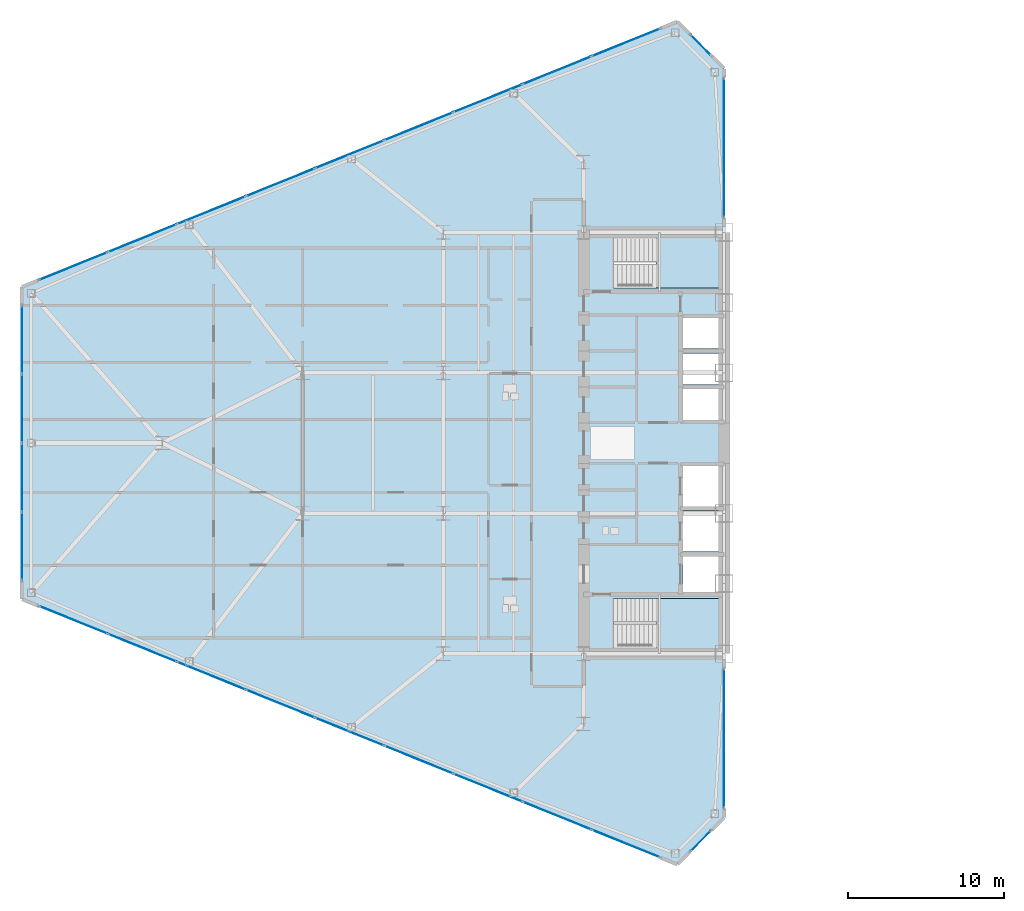
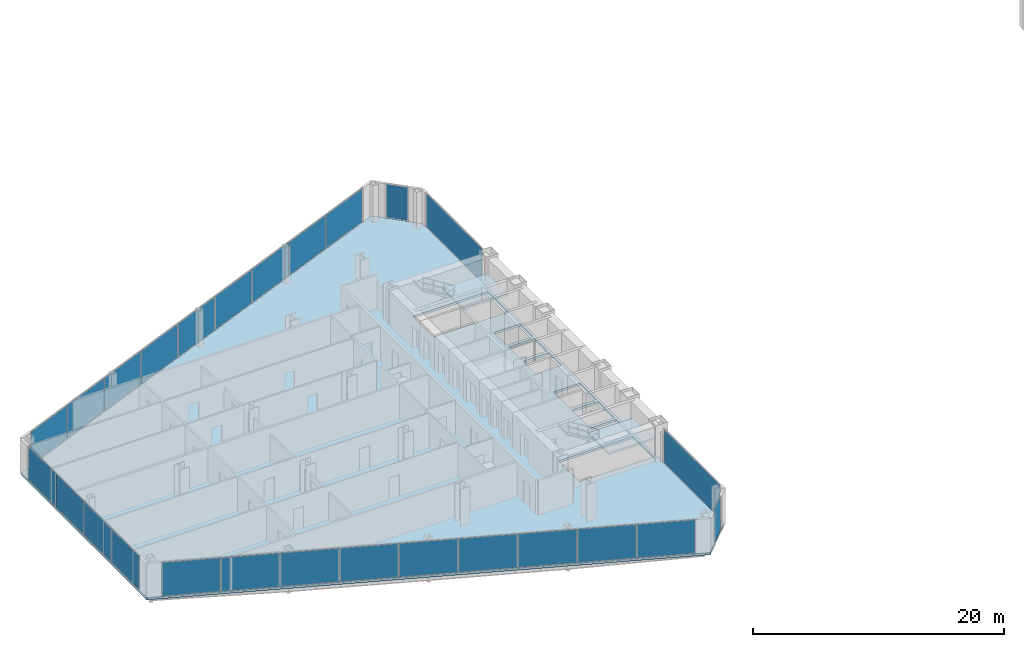
# One storey, part 15 of 25: 26 plates, 3 slabs, 9 elements without a shape of their own.
"""IFC4 building model written with IfcOpenShell, lengths in metres."""

import ifcopenshell
import ifcopenshell.guid

model = None  # the IFC model being written
_history = None  # IfcOwnerHistory: only IFC2X3 demands one
_inside = {}  # id of a spatial element -> (the spatial element, [elements in it])
_under = {}  # id of a project, library or spatial element -> (it, [spatial elements below it])
_declared = {}  # id of a project -> (the project, [libraries it declares])
_typed = {}  # id of a type object -> (the type object, [elements of that type])
_made_of = {}  # id of a material, layer set ... -> (it, [elements and type objects made of it])


def new_model(schema):
    """Start an empty IFC model of exactly this schema.

    Asked for "IFC4X3", IfcOpenShell would pick the latest addendum, in which some entities
    have other attributes; the version numbers below select the first issue.
    IFC2X3 requires an IfcOwnerHistory on every rooted entity: one is made here for all.
    """
    global model, _history
    if schema == "IFC4X3":
        model = ifcopenshell.file(schema_version=(4, 3, 0, 0))
    else:
        model = ifcopenshell.file(schema=schema)
    _inside.clear()
    _under.clear()
    _declared.clear()
    _typed.clear()
    _made_of.clear()
    _history = None
    if model.schema == "IFC2X3":
        org = make("IfcOrganization", Name="unknown")
        user = make(
            "IfcPersonAndOrganization",
            ThePerson=make("IfcPerson", FamilyName="unknown"),
            TheOrganization=org,
        )
        app = make(
            "IfcApplication",
            ApplicationDeveloper=org,
            Version="unknown",
            ApplicationFullName="unknown",
            ApplicationIdentifier="unknown",
        )
        _history = make(
            "IfcOwnerHistory",
            OwningUser=user,
            OwningApplication=app,
            ChangeAction="ADDED",
            CreationDate=0,
        )
    return model


def make(cls, **values):
    """One entity of the class cls with the attributes given. An attribute that is None is left unset."""
    return model.create_entity(
        cls, **{name: value for name, value in values.items() if value is not None}
    )


def rooted(cls, **values):
    """An entity with a GlobalId (a new one), such as an element, a storey or a relation."""
    return make(cls, GlobalId=ifcopenshell.guid.new(), OwnerHistory=_history, **values)


def si_unit(unit_type, name, prefix=None):
    """IfcSIUnit, for example si_unit("LENGTHUNIT", "METRE", prefix="MILLI")."""
    return make("IfcSIUnit", UnitType=unit_type, Prefix=prefix, Name=name)


def assignment(units):
    """IfcUnitAssignment: the units of a project."""
    return None if units is None else make("IfcUnitAssignment", Units=units)


def point(xyz):
    """IfcCartesianPoint."""
    return None if xyz is None else make("IfcCartesianPoint", Coordinates=xyz)


def direction(xyz):
    """IfcDirection."""
    return None if xyz is None else make("IfcDirection", DirectionRatios=xyz)


def frame(location, z_axis=None, x_axis=None):
    """IfcAxis2Placement3D, a coordinate frame: its origin and axes. An axis left out is left unset."""
    return make(
        "IfcAxis2Placement3D",
        Location=point(location),
        Axis=direction(z_axis),
        RefDirection=direction(x_axis),
    )


def frame_2d(location, x_axis=None):
    """IfcAxis2Placement2D, a coordinate frame in the plane: its origin and x axis."""
    return make(
        "IfcAxis2Placement2D", Location=point(location), RefDirection=direction(x_axis)
    )


def origin():
    """The frame at (0, 0, 0) with its axes left unset."""
    return frame((0.0, 0.0, 0.0))


def origin_2d():
    """The frame at (0, 0) in the plane with its x axis left unset."""
    return frame_2d((0.0, 0.0))


def place(relative_to, where):
    """IfcLocalPlacement: puts the frame where relative to a parent placement (None: the world)."""
    return make(
        "IfcLocalPlacement", PlacementRelTo=relative_to, RelativePlacement=where
    )


def context(
    kind, dimensions, precision=None, world=None, true_north=None, identifier=None
):
    """IfcGeometricRepresentationContext, for example the 3D "Model" context."""
    return make(
        "IfcGeometricRepresentationContext",
        ContextIdentifier=identifier,
        ContextType=kind,
        CoordinateSpaceDimension=dimensions,
        Precision=precision,
        WorldCoordinateSystem=world,
        TrueNorth=true_north,
    )


def subcontext(parent, identifier, kind, view, scale=None):
    """IfcGeometricRepresentationSubContext, for example "Body" below "Model"."""
    return make(
        "IfcGeometricRepresentationSubContext",
        ContextIdentifier=identifier,
        ContextType=kind,
        ParentContext=parent,
        TargetScale=scale,
        TargetView=view,
    )


def project(units=None, contexts=None):
    """IfcProject with its units and contexts."""
    return rooted(
        "IfcProject",
        Name="project",
        RepresentationContexts=contexts,
        UnitsInContext=assignment(units),
    )


def spatial(cls, under=None, at=None, **own):
    """A site, building, storey or space (cls), placed at a placement, below another one or the project."""
    s = rooted(cls, ObjectPlacement=at, **own)
    if under is not None:
        _under.setdefault(under.id(), (under, []))[1].append(s)
    return s


def polyline(points):
    """IfcPolyline through the points."""
    return make("IfcPolyline", Points=[point(p) for p in points])


def profile(cls, at=None, kind="AREA", **sizes):
    """A parametric profile (cls). Its sizes go by their IFC names, for example OverallWidth=200.0."""
    return make(cls, ProfileType=kind, Position=at, **sizes)


def rectangle(**sizes):
    """IfcRectangleProfileDef."""
    return profile("IfcRectangleProfileDef", **sizes)


def outline(outer, holes=None, kind="AREA"):
    """IfcArbitraryClosedProfileDef: a profile drawn as a closed curve; with holes, ...WithVoids."""
    if holes is None:
        return make("IfcArbitraryClosedProfileDef", ProfileType=kind, OuterCurve=outer)
    return make(
        "IfcArbitraryProfileDefWithVoids",
        ProfileType=kind,
        OuterCurve=outer,
        InnerCurves=holes,
    )


def extrude(swept, where, along, depth):
    """IfcExtrudedAreaSolid: the profile swept, set in the frame where, extruded along a direction by depth."""
    return make(
        "IfcExtrudedAreaSolid",
        SweptArea=swept,
        Position=where,
        ExtrudedDirection=direction(along),
        Depth=depth,
    )


def shape(context_of_items, identifier, shape_type, items):
    """IfcShapeRepresentation: the items that make up one representation, for example the "Body"."""
    return make(
        "IfcShapeRepresentation",
        ContextOfItems=context_of_items,
        RepresentationIdentifier=identifier,
        RepresentationType=shape_type,
        Items=items,
    )


def source(mapping_origin, context_of_items, identifier, shape_type, items):
    """IfcRepresentationMap: a shape defined once, which mapped items show again and again."""
    return make(
        "IfcRepresentationMap",
        MappingOrigin=mapping_origin,
        MappedRepresentation=shape(context_of_items, identifier, shape_type, items),
    )


def transform(
    local_origin,
    x_axis=None,
    y_axis=None,
    z_axis=None,
    scale=None,
    scale2=None,
    scale3=None,
    uniform=True,
):
    """IfcCartesianTransformationOperator3D, or its non-uniform kind. x_axis, y_axis, z_axis: its Axis1, 2, 3."""
    if uniform:
        return make(
            "IfcCartesianTransformationOperator3D",
            Axis1=direction(x_axis),
            Axis2=direction(y_axis),
            LocalOrigin=point(local_origin),
            Scale=scale,
            Axis3=direction(z_axis),
        )
    return make(
        "IfcCartesianTransformationOperator3DnonUniform",
        Axis1=direction(x_axis),
        Axis2=direction(y_axis),
        LocalOrigin=point(local_origin),
        Scale=scale,
        Axis3=direction(z_axis),
        Scale2=scale2,
        Scale3=scale3,
    )


def mapped(mapping_source, mapping_target):
    """IfcMappedItem: shows the shape of a source again, moved by a transform."""
    return make(
        "IfcMappedItem", MappingSource=mapping_source, MappingTarget=mapping_target
    )


def material(Name=None, Category=None):
    """IfcMaterial."""
    return make("IfcMaterial", Name=Name, Category=Category)


def layer(
    of_material, thickness, ventilated=None, Name=None, Category=None, Priority=None
):
    """IfcMaterialLayer: one layer of a wall or slab, of a material (None: an air gap)."""
    return make(
        "IfcMaterialLayer",
        Material=of_material,
        LayerThickness=thickness,
        IsVentilated=ventilated,
        Name=Name,
        Category=Category,
        Priority=Priority,
    )


def layer_set(layers, Name=None):
    """IfcMaterialLayerSet."""
    return make("IfcMaterialLayerSet", MaterialLayers=layers, LayerSetName=Name)


def made_of(thing, what):
    """Note that an element or type object is made of a material, layer set ...; save() writes the relation."""
    if what is not None:
        _made_of.setdefault(what.id(), (what, []))[1].append(thing)
    return thing


def type_object(cls, material=None, **own):
    """A type object (cls), such as IfcWallType, which elements share."""
    return made_of(rooted(cls, **own), material)


def type_shapes(of_type, sources):
    """Give a type object the sources (RepresentationMaps) that its elements show as mapped items."""
    of_type.RepresentationMaps = sources


def element(
    cls,
    number,
    at=None,
    inside=None,
    cuts=None,
    type_object=None,
    material=None,
    context=None,
    identifier="Body",
    shape_type=None,
    held_by="IfcProductDefinitionShape",
    body=None,
    shapes=None,
    **own,
):
    """One element of the class cls, such as IfcWall. Its Tag is "e" and its number.

    at: its placement. inside: the storey or other place that contains it. cuts: it is an
    opening in that element (IfcRelVoidsElement). A single representation is given by context,
    identifier, shape_type and body (its items); several are given by shapes. held_by: the class
    of the entity that holds the representations. save() writes the other relations.
    """
    e = rooted(cls, Tag="e%d" % number, ObjectPlacement=at, **own)
    if body is not None:
        shapes = [shape(context, identifier, shape_type, body)]
    if shapes is not None:
        e.Representation = make(held_by, Representations=shapes)
    if inside is not None:
        _inside.setdefault(inside.id(), (inside, []))[1].append(e)
    if cuts is not None:
        rooted(
            "IfcRelVoidsElement", RelatingBuildingElement=cuts, RelatedOpeningElement=e
        )
    if type_object is not None:
        _typed.setdefault(type_object.id(), (type_object, []))[1].append(e)
    return made_of(e, material)


def aggregate(whole, parts):
    """IfcRelAggregates: a whole, such as a stair, and the parts it consists of."""
    return rooted("IfcRelAggregates", RelatingObject=whole, RelatedObjects=parts)


def save(model, path):
    """Write the relations noted so far, then the file.

    IfcRelAggregates (storeys below a building ...), IfcRelContainedInSpatialStructure (elements
    in a storey), IfcRelDefinesByType, IfcRelAssociatesMaterial and IfcRelDeclares: one each for
    every whole, place, type object, material and project.
    """
    for whole, parts in _under.values():
        aggregate(whole, parts)
    for where, things in _inside.values():
        rooted(
            "IfcRelContainedInSpatialStructure",
            RelatedElements=things,
            RelatingStructure=where,
        )
    for kind, things in _typed.values():
        rooted("IfcRelDefinesByType", RelatedObjects=things, RelatingType=kind)
    for what, things in _made_of.values():
        rooted("IfcRelAssociatesMaterial", RelatedObjects=things, RelatingMaterial=what)
    for by, libraries in _declared.values():
        rooted("IfcRelDeclares", RelatingContext=by, RelatedDefinitions=libraries)
    model.write(path)


model = new_model("IFC4")

# Units and contexts
model_context = context("Model", 3, precision=1e-05, world=origin(), true_north=direction((0.0, 1.0)))
body_context = subcontext(model_context, "Body", "Model", "MODEL_VIEW")
ifc_project = project(units=[si_unit("LENGTHUNIT", "METRE"), si_unit("AREAUNIT", "SQUARE_METRE"), si_unit("VOLUMEUNIT", "CUBIC_METRE"), si_unit("PLANEANGLEUNIT", "RADIAN"), si_unit("MASSUNIT", "GRAM", prefix="KILO")], contexts=[model_context])

# Site, building, storey
site_placement = place(None, origin())
site = spatial("IfcSite", under=ifc_project, at=site_placement, CompositionType="ELEMENT")
building_placement = place(site_placement, origin())
building = spatial("IfcBuilding", under=site, at=building_placement, Name="Seokmaru Belvedere", CompositionType="ELEMENT")
storey_placement = place(building_placement, frame((0.0, 0.0, 54.89990234375)))
storey = spatial("IfcBuildingStorey", under=building, at=storey_placement, Name="L14", CompositionType="ELEMENT", Elevation=54.89990234375)

# Stair, slab
ifc_material_1 = material(Name="Concrete C40 (40 MPa)", Category="concrete")
stair_type = type_object("IfcStairType", Name="Typical Tower Core Dog-Leg Stair 3600", PredefinedType="TWO_STRAIGHT_RUN_STAIR", material=ifc_material_1)
stair_1_placement = place(storey_placement, origin())
stair_1 = element("IfcStair", 1, at=stair_1_placement, inside=storey, type_object=stair_type, Name="L14 Special Escape Stair ST-W1", PredefinedType="TWO_STRAIGHT_RUN_STAIR")
ifc_layer_1 = layer(ifc_material_1, 0.199951171875)
ifc_layer_set_1 = layer_set([ifc_layer_1], Name="Concrete C40 (40 MPa)")
slab_type_1 = type_object("IfcSlabType", Name="Reinforced Concrete Stair Landing Slab 200", PredefinedType="LANDING", material=ifc_layer_set_1)
slab_1_placement = place(storey_placement, frame((0.0, 0.0, 1.60009765625)))
slab_1 = element("IfcSlab", 2, at=slab_1_placement, type_object=slab_type_1, Name="ST-W1 landing 1", PredefinedType="LANDING", context=body_context, shape_type="SweptSolid", body=[
    extrude(outline(polyline([(-31.8798828125, -13.239990234375), (-27.760009765625, -13.239990234375), (-27.760009765625, -9.949951171875), (-31.8798828125, -9.949951171875), (-31.8798828125, -13.239990234375)])), origin(), (0.0, 0.0, 1.0), 0.199951171875),
])
aggregate(stair_1, [slab_1])

stair_2_placement = place(storey_placement, origin())
stair_2 = element("IfcStair", 3, at=stair_2_placement, inside=storey, type_object=stair_type, Name="L14 Special Escape Stair ST-W2", PredefinedType="TWO_STRAIGHT_RUN_STAIR")
slab_2_placement = place(storey_placement, frame((0.0, 0.0, 1.60009765625)))
slab_2 = element("IfcSlab", 4, at=slab_2_placement, type_object=slab_type_1, Name="ST-W2 landing 1", PredefinedType="LANDING", context=body_context, shape_type="SweptSolid", body=[
    extrude(outline(polyline([(-31.8798828125, 9.949951171875), (-27.760009765625, 9.949951171875), (-27.760009765625, 13.239990234375), (-31.8798828125, 13.239990234375), (-31.8798828125, 9.949951171875)])), origin(), (0.0, 0.0, 1.0), 0.199951171875),
])
aggregate(stair_2, [slab_2])

# Slab
ifc_layer_2 = layer(ifc_material_1, 0.219970703125)
ifc_layer_set_2 = layer_set([ifc_layer_2], Name="Concrete C40 (40 MPa)")
slab_type_2 = type_object("IfcSlabType", Name="Typical Tower Composite Floor Slab 220", PredefinedType="FLOOR", material=ifc_layer_set_2)
slab_3_placement = place(storey_placement, frame((0.0, 0.0, -0.219970703125)))
element("IfcSlab", 5, at=slab_3_placement, inside=storey, type_object=slab_type_2, Name="L14 West Leg Floor Slab", PredefinedType="FLOOR", context=body_context, shape_type="SweptSolid", body=[
    extrude(outline(polyline([(-27.5, -24.0), (-27.5, 24.0), (-30.5, 27.0), (-72.5, 10.0), (-72.5, -10.0), (-30.5, -27.0), (-27.5, -24.0)]), holes=[polyline([(-34.60009765625, -13.25), (-27.75, -13.25), (-27.75, -9.949951171875), (-34.60009765625, -9.949951171875), (-34.60009765625, -13.25)]), polyline([(-34.60009765625, 9.949951171875), (-27.75, 9.949951171875), (-27.75, 13.25), (-34.60009765625, 13.25), (-34.60009765625, 9.949951171875)]), polyline([(-30.14990234375, -9.550048828125), (-27.75, -9.550048828125), (-27.75, -7.25), (-30.14990234375, -7.25), (-30.14990234375, -9.550048828125)]), polyline([(-30.14990234375, -6.949951171875), (-27.75, -6.949951171875), (-27.75, -4.35009765625), (-30.14990234375, -4.35009765625), (-30.14990234375, -6.949951171875)]), polyline([(-30.14990234375, -4.050048828125), (-27.75, -4.050048828125), (-27.75, -1.449951171875), (-30.14990234375, -1.449951171875), (-30.14990234375, -4.050048828125)]), polyline([(-30.14990234375, 1.449951171875), (-27.75, 1.449951171875), (-27.75, 3.449951171875), (-30.14990234375, 3.449951171875), (-30.14990234375, 1.449951171875)]), polyline([(-30.14990234375, 3.75), (-27.75, 3.75), (-27.75, 5.75), (-30.14990234375, 5.75), (-30.14990234375, 3.75)]), polyline([(-30.14990234375, 6.050048828125), (-27.75, 6.050048828125), (-27.75, 8.050048828125), (-30.14990234375, 8.050048828125), (-30.14990234375, 6.050048828125)])]), origin(), (0.0, 0.0, 1.0), 0.219970703125),
])

# Curtain wall, plate
ifc_material_2 = material(Name="Bronze Triple Insulating Glass", Category="glass")
ifc_layer_3 = layer(ifc_material_2, 0.2099609375)
ifc_layer_set_3 = layer_set([ifc_layer_3], Name="Bronze Triple Insulating Glass")
curtain_wall_type = type_object("IfcCurtainWallType", Name="Low-Rise Faceted Crystal Curtain Wall System CW-2", PredefinedType="NOTDEFINED", material=ifc_layer_set_3)
curtain_wall_1_placement = place(storey_placement, origin())
curtain_wall_1 = element("IfcCurtainWall", 6, at=curtain_wall_1_placement, inside=storey, type_object=curtain_wall_type, Name="L14 Curtain Wall WSP_1", PredefinedType="NOTDEFINED")
ifc_layer_4 = layer(ifc_material_2, 0.035888671875)
ifc_layer_set_4 = layer_set([ifc_layer_4], Name="Bronze Triple Insulating Glass")
plate_type = type_object("IfcPlateType", Name="Bronze Triple Vision Glazing Panel 36", PredefinedType="CURTAIN_PANEL", material=ifc_layer_set_4)
shared_shape_1 = source(origin(), body_context, "Body", "SweptSolid", [
    extrude(rectangle(XDim=8.85009765625, YDim=0.035888671875, at=origin_2d()), origin(), (0.0, 0.0, 1.0), 3.239990234375),
])
plate_1_placement = place(storey_placement, frame((-27.5, -18.929931640625, 0.0703125), z_axis=(0.0, 0.0, 1.0), x_axis=(0.0, 1.0, 0.0)))
plate_1 = element("IfcPlate", 7, at=plate_1_placement, type_object=plate_type, Name="CW:L14:WSP_1 Glazing Panel 1-1", PredefinedType="CURTAIN_PANEL", context=body_context, shape_type="MappedRepresentation", body=[
    mapped(shared_shape_1, transform((0.0, 0.0, 0.0), scale=1.0)),
])
aggregate(curtain_wall_1, [plate_1])

curtain_wall_2_placement = place(storey_placement, origin())
curtain_wall_2 = element("IfcCurtainWall", 8, at=curtain_wall_2_placement, inside=storey, type_object=curtain_wall_type, Name="L14 Curtain Wall WSP_2", PredefinedType="NOTDEFINED")
plate_2_placement = place(storey_placement, frame((-27.5, 18.929931640625, 0.0703125), z_axis=(0.0, 0.0, 1.0), x_axis=(0.0, 1.0, 0.0)))
plate_2 = element("IfcPlate", 9, at=plate_2_placement, type_object=plate_type, Name="CW:L14:WSP_2 Glazing Panel 1-1", PredefinedType="CURTAIN_PANEL", context=body_context, shape_type="MappedRepresentation", body=[
    mapped(shared_shape_1, transform((0.0, 0.0, 0.0), scale=1.0)),
])
aggregate(curtain_wall_2, [plate_2])

curtain_wall_3_placement = place(storey_placement, origin())
curtain_wall_3 = element("IfcCurtainWall", 10, at=curtain_wall_3_placement, inside=storey, type_object=curtain_wall_type, Name="L14 Curtain Wall WF2", PredefinedType="NOTDEFINED")
shared_shape_2 = source(origin(), body_context, "Body", "SweptSolid", [
    extrude(rectangle(XDim=1.79248046875, YDim=0.035888671875, at=origin_2d()), origin(), (0.0, 0.0, 1.0), 3.239990234375),
])
plate_3_placement = place(storey_placement, frame((-29.0, 25.5, 0.0703125), z_axis=(0.0, 0.0, 1.0), x_axis=(-0.707106781187, 0.707106781187, 0.0)))
plate_3 = element("IfcPlate", 11, at=plate_3_placement, type_object=plate_type, Name="CW:L14:WF2 Glazing Panel 1-1", PredefinedType="CURTAIN_PANEL", context=body_context, shape_type="MappedRepresentation", body=[
    mapped(shared_shape_2, transform((0.0, 0.0, 0.0), scale=1.0)),
])
aggregate(curtain_wall_3, [plate_3])

curtain_wall_4_placement = place(storey_placement, origin())
curtain_wall_4 = element("IfcCurtainWall", 12, at=curtain_wall_4_placement, inside=storey, type_object=curtain_wall_type, Name="L14 Curtain Wall WF6", PredefinedType="NOTDEFINED")
plate_4_placement = place(storey_placement, frame((-29.0, -25.5, 0.0703125), z_axis=(0.0, 0.0, 1.0), x_axis=(0.707106781187, 0.707106781187, 0.0)))
plate_4 = element("IfcPlate", 13, at=plate_4_placement, type_object=plate_type, Name="CW:L14:WF6 Glazing Panel 1-1", PredefinedType="CURTAIN_PANEL", context=body_context, shape_type="MappedRepresentation", body=[
    mapped(shared_shape_2, transform((0.0, 0.0, 0.0), scale=1.0)),
])
aggregate(curtain_wall_4, [plate_4])

# Curtain wall, plates
curtain_wall_5_placement = place(storey_placement, origin())
curtain_wall_5 = element("IfcCurtainWall", 14, at=curtain_wall_5_placement, inside=storey, type_object=curtain_wall_type, Name="L14 Curtain Wall WF3", PredefinedType="NOTDEFINED")
shared_shape_3 = source(origin(), body_context, "Body", "SweptSolid", [
    extrude(rectangle(XDim=4.66650390625, YDim=0.035888671875, at=origin_2d()), origin(), (0.0, 0.0, 1.0), 3.239990234375),
])
plate_5_placement = place(storey_placement, frame((-33.79833984375, 25.6650390625, 0.0703125), z_axis=(0.0, 0.0, 1.0), x_axis=(-0.926946989637, -0.375192321888, 0.0)))
plate_5 = element("IfcPlate", 15, at=plate_5_placement, type_object=plate_type, Name="CW:L14:WF3 Glazing Panel 1-1", PredefinedType="CURTAIN_PANEL", context=body_context, shape_type="MappedRepresentation", body=[
    mapped(shared_shape_3, transform((0.0, 0.0, 0.0), scale=1.0)),
])
plate_6_placement = place(storey_placement, frame((-69.20166015625, 11.3349609375, 0.0703125), z_axis=(0.0, 0.0, 1.0), x_axis=(-0.926946989637, -0.375192321888, 0.0)))
plate_6 = element("IfcPlate", 16, at=plate_6_placement, type_object=plate_type, Name="CW:L14:WF3 Glazing Panel 9-1", PredefinedType="CURTAIN_PANEL", context=body_context, shape_type="MappedRepresentation", body=[
    mapped(shared_shape_3, transform((0.0, 0.0, 0.0), scale=1.0)),
])

curtain_wall_6_placement = place(storey_placement, origin())
curtain_wall_6 = element("IfcCurtainWall", 17, at=curtain_wall_6_placement, inside=storey, type_object=curtain_wall_type, Name="L14 Curtain Wall WF5", PredefinedType="NOTDEFINED")
plate_7_placement = place(storey_placement, frame((-69.20166015625, -11.3349609375, 0.0703125), z_axis=(0.0, 0.0, 1.0), x_axis=(0.926946989637, -0.375192321888, 0.0)))
plate_7 = element("IfcPlate", 18, at=plate_7_placement, type_object=plate_type, Name="CW:L14:WF5 Glazing Panel 1-1", PredefinedType="CURTAIN_PANEL", context=body_context, shape_type="MappedRepresentation", body=[
    mapped(shared_shape_3, transform((0.0, 0.0, 0.0), scale=1.0)),
])
plate_8_placement = place(storey_placement, frame((-33.79833984375, -25.6650390625, 0.0703125), z_axis=(0.0, 0.0, 1.0), x_axis=(0.926946989637, -0.375192321888, 0.0)))
plate_8 = element("IfcPlate", 19, at=plate_8_placement, type_object=plate_type, Name="CW:L14:WF5 Glazing Panel 9-1", PredefinedType="CURTAIN_PANEL", context=body_context, shape_type="MappedRepresentation", body=[
    mapped(shared_shape_3, transform((0.0, 0.0, 0.0), scale=1.0)),
])

# Plate
shared_shape_4 = source(origin(), body_context, "Body", "SweptSolid", [
    extrude(rectangle(XDim=4.703857421875, YDim=0.035888671875, at=origin_2d()), origin(), (0.0, 0.0, 1.0), 3.239990234375),
])
plate_9_placement = place(storey_placement, frame((-38.210693359375, 23.87890625, 0.0703125), z_axis=(0.0, 0.0, 1.0), x_axis=(-0.926946989637, -0.375192321888, 0.0)))
plate_9 = element("IfcPlate", 20, at=plate_9_placement, type_object=plate_type, Name="CW:L14:WF3 Glazing Panel 2-1", PredefinedType="CURTAIN_PANEL", context=body_context, shape_type="MappedRepresentation", body=[
    mapped(shared_shape_4, transform((0.0, 0.0, 0.0), scale=1.0)),
])

plate_10_placement = place(storey_placement, frame((-42.640380859375, 22.0859375, 0.0703125), z_axis=(0.0, 0.0, 1.0), x_axis=(-0.926946989637, -0.375192321888, 0.0)))
plate_10 = element("IfcPlate", 21, at=plate_10_placement, type_object=plate_type, Name="CW:L14:WF3 Glazing Panel 3-1", PredefinedType="CURTAIN_PANEL", context=body_context, shape_type="MappedRepresentation", body=[
    mapped(shared_shape_4, transform((0.0, 0.0, 0.0), scale=1.0)),
])

plate_11_placement = place(storey_placement, frame((-47.0703125, 20.29296875, 0.0703125), z_axis=(0.0, 0.0, 1.0), x_axis=(-0.926946989637, -0.375192321888, 0.0)))
plate_11 = element("IfcPlate", 22, at=plate_11_placement, type_object=plate_type, Name="CW:L14:WF3 Glazing Panel 4-1", PredefinedType="CURTAIN_PANEL", context=body_context, shape_type="MappedRepresentation", body=[
    mapped(shared_shape_4, transform((0.0, 0.0, 0.0), scale=1.0)),
])

plate_12_placement = place(storey_placement, frame((-51.5, 18.5, 0.0703125), z_axis=(0.0, 0.0, 1.0), x_axis=(-0.926946989637, -0.375192321888, 0.0)))
plate_12 = element("IfcPlate", 23, at=plate_12_placement, type_object=plate_type, Name="CW:L14:WF3 Glazing Panel 5-1", PredefinedType="CURTAIN_PANEL", context=body_context, shape_type="MappedRepresentation", body=[
    mapped(shared_shape_4, transform((0.0, 0.0, 0.0), scale=1.0)),
])

plate_13_placement = place(storey_placement, frame((-55.9296875, 16.70703125, 0.0703125), z_axis=(0.0, 0.0, 1.0), x_axis=(-0.926946989637, -0.375192321888, 0.0)))
plate_13 = element("IfcPlate", 24, at=plate_13_placement, type_object=plate_type, Name="CW:L14:WF3 Glazing Panel 6-1", PredefinedType="CURTAIN_PANEL", context=body_context, shape_type="MappedRepresentation", body=[
    mapped(shared_shape_4, transform((0.0, 0.0, 0.0), scale=1.0)),
])

plate_14_placement = place(storey_placement, frame((-60.359619140625, 14.9140625, 0.0703125), z_axis=(0.0, 0.0, 1.0), x_axis=(-0.926946989637, -0.375192321888, 0.0)))
plate_14 = element("IfcPlate", 25, at=plate_14_placement, type_object=plate_type, Name="CW:L14:WF3 Glazing Panel 7-1", PredefinedType="CURTAIN_PANEL", context=body_context, shape_type="MappedRepresentation", body=[
    mapped(shared_shape_4, transform((0.0, 0.0, 0.0), scale=1.0)),
])

plate_15_placement = place(storey_placement, frame((-64.789306640625, 13.12109375, 0.0703125), z_axis=(0.0, 0.0, 1.0), x_axis=(-0.926946989637, -0.375192321888, 0.0)))
plate_15 = element("IfcPlate", 26, at=plate_15_placement, type_object=plate_type, Name="CW:L14:WF3 Glazing Panel 8-1", PredefinedType="CURTAIN_PANEL", context=body_context, shape_type="MappedRepresentation", body=[
    mapped(shared_shape_4, transform((0.0, 0.0, 0.0), scale=1.0)),
])

aggregate(curtain_wall_5, [plate_5, plate_9, plate_10, plate_11, plate_12, plate_13, plate_14, plate_15, plate_6])

plate_16_placement = place(storey_placement, frame((-64.789306640625, -13.12109375, 0.0703125), z_axis=(0.0, 0.0, 1.0), x_axis=(0.926946989637, -0.375192321888, 0.0)))
plate_16 = element("IfcPlate", 27, at=plate_16_placement, type_object=plate_type, Name="CW:L14:WF5 Glazing Panel 2-1", PredefinedType="CURTAIN_PANEL", context=body_context, shape_type="MappedRepresentation", body=[
    mapped(shared_shape_4, transform((0.0, 0.0, 0.0), scale=1.0)),
])

plate_17_placement = place(storey_placement, frame((-60.359619140625, -14.9140625, 0.0703125), z_axis=(0.0, 0.0, 1.0), x_axis=(0.926946989637, -0.375192321888, 0.0)))
plate_17 = element("IfcPlate", 28, at=plate_17_placement, type_object=plate_type, Name="CW:L14:WF5 Glazing Panel 3-1", PredefinedType="CURTAIN_PANEL", context=body_context, shape_type="MappedRepresentation", body=[
    mapped(shared_shape_4, transform((0.0, 0.0, 0.0), scale=1.0)),
])

plate_18_placement = place(storey_placement, frame((-55.9296875, -16.70703125, 0.0703125), z_axis=(0.0, 0.0, 1.0), x_axis=(0.926946989637, -0.375192321888, 0.0)))
plate_18 = element("IfcPlate", 29, at=plate_18_placement, type_object=plate_type, Name="CW:L14:WF5 Glazing Panel 4-1", PredefinedType="CURTAIN_PANEL", context=body_context, shape_type="MappedRepresentation", body=[
    mapped(shared_shape_4, transform((0.0, 0.0, 0.0), scale=1.0)),
])

plate_19_placement = place(storey_placement, frame((-51.5, -18.5, 0.0703125), z_axis=(0.0, 0.0, 1.0), x_axis=(0.926946989637, -0.375192321888, 0.0)))
plate_19 = element("IfcPlate", 30, at=plate_19_placement, type_object=plate_type, Name="CW:L14:WF5 Glazing Panel 5-1", PredefinedType="CURTAIN_PANEL", context=body_context, shape_type="MappedRepresentation", body=[
    mapped(shared_shape_4, transform((0.0, 0.0, 0.0), scale=1.0)),
])

plate_20_placement = place(storey_placement, frame((-47.0703125, -20.29296875, 0.0703125), z_axis=(0.0, 0.0, 1.0), x_axis=(0.926946989637, -0.375192321888, 0.0)))
plate_20 = element("IfcPlate", 31, at=plate_20_placement, type_object=plate_type, Name="CW:L14:WF5 Glazing Panel 6-1", PredefinedType="CURTAIN_PANEL", context=body_context, shape_type="MappedRepresentation", body=[
    mapped(shared_shape_4, transform((0.0, 0.0, 0.0), scale=1.0)),
])

plate_21_placement = place(storey_placement, frame((-42.640380859375, -22.0859375, 0.0703125), z_axis=(0.0, 0.0, 1.0), x_axis=(0.926946989637, -0.375192321888, 0.0)))
plate_21 = element("IfcPlate", 32, at=plate_21_placement, type_object=plate_type, Name="CW:L14:WF5 Glazing Panel 7-1", PredefinedType="CURTAIN_PANEL", context=body_context, shape_type="MappedRepresentation", body=[
    mapped(shared_shape_4, transform((0.0, 0.0, 0.0), scale=1.0)),
])

plate_22_placement = place(storey_placement, frame((-38.210693359375, -23.87890625, 0.0703125), z_axis=(0.0, 0.0, 1.0), x_axis=(0.926946989637, -0.375192321888, 0.0)))
plate_22 = element("IfcPlate", 33, at=plate_22_placement, type_object=plate_type, Name="CW:L14:WF5 Glazing Panel 8-1", PredefinedType="CURTAIN_PANEL", context=body_context, shape_type="MappedRepresentation", body=[
    mapped(shared_shape_4, transform((0.0, 0.0, 0.0), scale=1.0)),
])

aggregate(curtain_wall_6, [plate_7, plate_16, plate_17, plate_18, plate_19, plate_20, plate_21, plate_22, plate_8])

# Curtain wall, plates
curtain_wall_7_placement = place(storey_placement, origin())
curtain_wall_7 = element("IfcCurtainWall", 34, at=curtain_wall_7_placement, inside=storey, type_object=curtain_wall_type, Name="L14 Curtain Wall WF4", PredefinedType="NOTDEFINED")
shared_shape_5 = source(origin(), body_context, "Body", "SweptSolid", [
    extrude(rectangle(XDim=4.3125, YDim=0.035888671875, at=origin_2d()), origin(), (0.0, 0.0, 1.0), 3.239990234375),
])
plate_23_placement = place(storey_placement, frame((-72.5, 6.61865234375, 0.0703125), z_axis=(0.0, 0.0, 1.0), x_axis=(0.0, -1.0, 0.0)))
plate_23 = element("IfcPlate", 35, at=plate_23_placement, type_object=plate_type, Name="CW:L14:WF4 Glazing Panel 1-1", PredefinedType="CURTAIN_PANEL", context=body_context, shape_type="MappedRepresentation", body=[
    mapped(shared_shape_5, transform((0.0, 0.0, 0.0), scale=1.0)),
])
plate_24_placement = place(storey_placement, frame((-72.5, -6.61865234375, 0.0703125), z_axis=(0.0, 0.0, 1.0), x_axis=(0.0, -1.0, 0.0)))
plate_24 = element("IfcPlate", 36, at=plate_24_placement, type_object=plate_type, Name="CW:L14:WF4 Glazing Panel 4-1", PredefinedType="CURTAIN_PANEL", context=body_context, shape_type="MappedRepresentation", body=[
    mapped(shared_shape_5, transform((0.0, 0.0, 0.0), scale=1.0)),
])
shared_shape_6 = source(origin(), body_context, "Body", "SweptSolid", [
    extrude(rectangle(XDim=4.35009765625, YDim=0.035888671875, at=origin_2d()), origin(), (0.0, 0.0, 1.0), 3.239990234375),
])
type_shapes(plate_type, [shared_shape_1, shared_shape_2, shared_shape_3, shared_shape_4, shared_shape_5, shared_shape_6])
plate_25_placement = place(storey_placement, frame((-72.5, 2.21240234375, 0.0703125), z_axis=(0.0, 0.0, 1.0), x_axis=(0.0, -1.0, 0.0)))
plate_25 = element("IfcPlate", 37, at=plate_25_placement, type_object=plate_type, Name="CW:L14:WF4 Glazing Panel 2-1", PredefinedType="CURTAIN_PANEL", context=body_context, shape_type="MappedRepresentation", body=[
    mapped(shared_shape_6, transform((0.0, 0.0, 0.0), scale=1.0)),
])
plate_26_placement = place(storey_placement, frame((-72.5, -2.21240234375, 0.0703125), z_axis=(0.0, 0.0, 1.0), x_axis=(0.0, -1.0, 0.0)))
plate_26 = element("IfcPlate", 38, at=plate_26_placement, type_object=plate_type, Name="CW:L14:WF4 Glazing Panel 3-1", PredefinedType="CURTAIN_PANEL", context=body_context, shape_type="MappedRepresentation", body=[
    mapped(shared_shape_6, transform((0.0, 0.0, 0.0), scale=1.0)),
])
aggregate(curtain_wall_7, [plate_23, plate_25, plate_26, plate_24])

save(model, "model.ifc")
